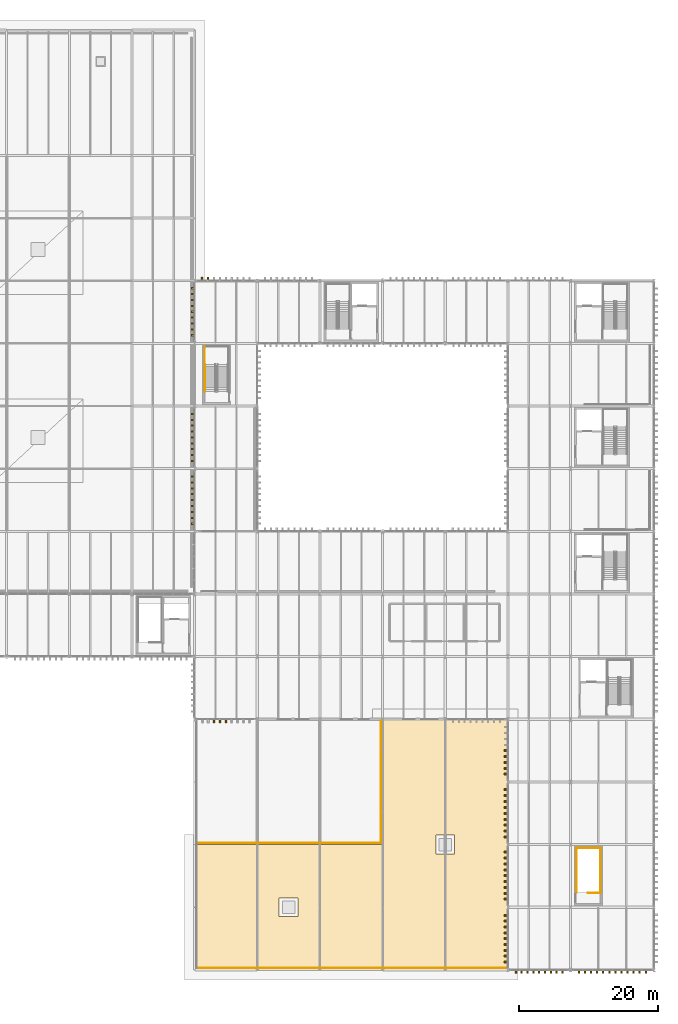
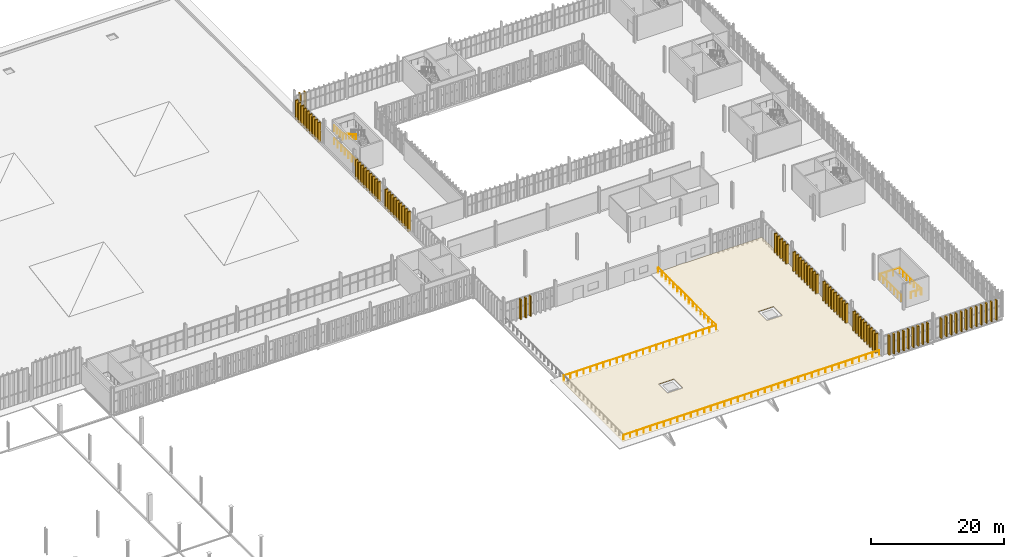
# One storey, part 188 of 196: 85 shading devices, 10 railings, 1 covering.
"""IFC4 building model written with IfcOpenShell, lengths in metres."""

import ifcopenshell
import ifcopenshell.guid

model = None  # the IFC model being written
_history = None  # IfcOwnerHistory: only IFC2X3 demands one
_inside = {}  # id of a spatial element -> (the spatial element, [elements in it])
_under = {}  # id of a project, library or spatial element -> (it, [spatial elements below it])
_declared = {}  # id of a project -> (the project, [libraries it declares])
_typed = {}  # id of a type object -> (the type object, [elements of that type])
_made_of = {}  # id of a material, layer set ... -> (it, [elements and type objects made of it])


def new_model(schema):
    """Start an empty IFC model of exactly this schema.

    Asked for "IFC4X3", IfcOpenShell would pick the latest addendum, in which some entities
    have other attributes; the version numbers below select the first issue.
    IFC2X3 requires an IfcOwnerHistory on every rooted entity: one is made here for all.
    """
    global model, _history
    if schema == "IFC4X3":
        model = ifcopenshell.file(schema_version=(4, 3, 0, 0))
    else:
        model = ifcopenshell.file(schema=schema)
    _inside.clear()
    _under.clear()
    _declared.clear()
    _typed.clear()
    _made_of.clear()
    _history = None
    if model.schema == "IFC2X3":
        org = make("IfcOrganization", Name="unknown")
        user = make(
            "IfcPersonAndOrganization",
            ThePerson=make("IfcPerson", FamilyName="unknown"),
            TheOrganization=org,
        )
        app = make(
            "IfcApplication",
            ApplicationDeveloper=org,
            Version="unknown",
            ApplicationFullName="unknown",
            ApplicationIdentifier="unknown",
        )
        _history = make(
            "IfcOwnerHistory",
            OwningUser=user,
            OwningApplication=app,
            ChangeAction="ADDED",
            CreationDate=0,
        )
    return model


def make(cls, **values):
    """One entity of the class cls with the attributes given. An attribute that is None is left unset."""
    return model.create_entity(
        cls, **{name: value for name, value in values.items() if value is not None}
    )


def rooted(cls, **values):
    """An entity with a GlobalId (a new one), such as an element, a storey or a relation."""
    return make(cls, GlobalId=ifcopenshell.guid.new(), OwnerHistory=_history, **values)


def si_unit(unit_type, name, prefix=None):
    """IfcSIUnit, for example si_unit("LENGTHUNIT", "METRE", prefix="MILLI")."""
    return make("IfcSIUnit", UnitType=unit_type, Prefix=prefix, Name=name)


def assignment(units):
    """IfcUnitAssignment: the units of a project."""
    return None if units is None else make("IfcUnitAssignment", Units=units)


def point(xyz):
    """IfcCartesianPoint."""
    return None if xyz is None else make("IfcCartesianPoint", Coordinates=xyz)


def direction(xyz):
    """IfcDirection."""
    return None if xyz is None else make("IfcDirection", DirectionRatios=xyz)


def frame(location, z_axis=None, x_axis=None):
    """IfcAxis2Placement3D, a coordinate frame: its origin and axes. An axis left out is left unset."""
    return make(
        "IfcAxis2Placement3D",
        Location=point(location),
        Axis=direction(z_axis),
        RefDirection=direction(x_axis),
    )


def frame_2d(location, x_axis=None):
    """IfcAxis2Placement2D, a coordinate frame in the plane: its origin and x axis."""
    return make(
        "IfcAxis2Placement2D", Location=point(location), RefDirection=direction(x_axis)
    )


def origin():
    """The frame at (0, 0, 0) with its axes left unset."""
    return frame((0.0, 0.0, 0.0))


def origin_2d():
    """The frame at (0, 0) in the plane with its x axis left unset."""
    return frame_2d((0.0, 0.0))


def place(relative_to, where):
    """IfcLocalPlacement: puts the frame where relative to a parent placement (None: the world)."""
    return make(
        "IfcLocalPlacement", PlacementRelTo=relative_to, RelativePlacement=where
    )


def context(
    kind, dimensions, precision=None, world=None, true_north=None, identifier=None
):
    """IfcGeometricRepresentationContext, for example the 3D "Model" context."""
    return make(
        "IfcGeometricRepresentationContext",
        ContextIdentifier=identifier,
        ContextType=kind,
        CoordinateSpaceDimension=dimensions,
        Precision=precision,
        WorldCoordinateSystem=world,
        TrueNorth=true_north,
    )


def subcontext(parent, identifier, kind, view, scale=None):
    """IfcGeometricRepresentationSubContext, for example "Body" below "Model"."""
    return make(
        "IfcGeometricRepresentationSubContext",
        ContextIdentifier=identifier,
        ContextType=kind,
        ParentContext=parent,
        TargetScale=scale,
        TargetView=view,
    )


def project(units=None, contexts=None):
    """IfcProject with its units and contexts."""
    return rooted(
        "IfcProject",
        Name="project",
        RepresentationContexts=contexts,
        UnitsInContext=assignment(units),
    )


def spatial(cls, under=None, at=None, **own):
    """A site, building, storey or space (cls), placed at a placement, below another one or the project."""
    s = rooted(cls, ObjectPlacement=at, **own)
    if under is not None:
        _under.setdefault(under.id(), (under, []))[1].append(s)
    return s


def polyline(points):
    """IfcPolyline through the points."""
    return make("IfcPolyline", Points=[point(p) for p in points])


def profile(cls, at=None, kind="AREA", **sizes):
    """A parametric profile (cls). Its sizes go by their IFC names, for example OverallWidth=200.0."""
    return make(cls, ProfileType=kind, Position=at, **sizes)


def rectangle(**sizes):
    """IfcRectangleProfileDef."""
    return profile("IfcRectangleProfileDef", **sizes)


def circle(**sizes):
    """IfcCircleProfileDef."""
    return profile("IfcCircleProfileDef", **sizes)


def outline(outer, holes=None, kind="AREA"):
    """IfcArbitraryClosedProfileDef: a profile drawn as a closed curve; with holes, ...WithVoids."""
    if holes is None:
        return make("IfcArbitraryClosedProfileDef", ProfileType=kind, OuterCurve=outer)
    return make(
        "IfcArbitraryProfileDefWithVoids",
        ProfileType=kind,
        OuterCurve=outer,
        InnerCurves=holes,
    )


def extrude(swept, where, along, depth):
    """IfcExtrudedAreaSolid: the profile swept, set in the frame where, extruded along a direction by depth."""
    return make(
        "IfcExtrudedAreaSolid",
        SweptArea=swept,
        Position=where,
        ExtrudedDirection=direction(along),
        Depth=depth,
    )


def shape(context_of_items, identifier, shape_type, items):
    """IfcShapeRepresentation: the items that make up one representation, for example the "Body"."""
    return make(
        "IfcShapeRepresentation",
        ContextOfItems=context_of_items,
        RepresentationIdentifier=identifier,
        RepresentationType=shape_type,
        Items=items,
    )


def material(Name=None, Category=None):
    """IfcMaterial."""
    return make("IfcMaterial", Name=Name, Category=Category)


def layer(
    of_material, thickness, ventilated=None, Name=None, Category=None, Priority=None
):
    """IfcMaterialLayer: one layer of a wall or slab, of a material (None: an air gap)."""
    return make(
        "IfcMaterialLayer",
        Material=of_material,
        LayerThickness=thickness,
        IsVentilated=ventilated,
        Name=Name,
        Category=Category,
        Priority=Priority,
    )


def layer_set(layers, Name=None):
    """IfcMaterialLayerSet."""
    return make("IfcMaterialLayerSet", MaterialLayers=layers, LayerSetName=Name)


def made_of(thing, what):
    """Note that an element or type object is made of a material, layer set ...; save() writes the relation."""
    if what is not None:
        _made_of.setdefault(what.id(), (what, []))[1].append(thing)
    return thing


def type_object(cls, material=None, **own):
    """A type object (cls), such as IfcWallType, which elements share."""
    return made_of(rooted(cls, **own), material)


def element(
    cls,
    number,
    at=None,
    inside=None,
    cuts=None,
    type_object=None,
    material=None,
    context=None,
    identifier="Body",
    shape_type=None,
    held_by="IfcProductDefinitionShape",
    body=None,
    shapes=None,
    **own,
):
    """One element of the class cls, such as IfcWall. Its Tag is "e" and its number.

    at: its placement. inside: the storey or other place that contains it. cuts: it is an
    opening in that element (IfcRelVoidsElement). A single representation is given by context,
    identifier, shape_type and body (its items); several are given by shapes. held_by: the class
    of the entity that holds the representations. save() writes the other relations.
    """
    e = rooted(cls, Tag="e%d" % number, ObjectPlacement=at, **own)
    if body is not None:
        shapes = [shape(context, identifier, shape_type, body)]
    if shapes is not None:
        e.Representation = make(held_by, Representations=shapes)
    if inside is not None:
        _inside.setdefault(inside.id(), (inside, []))[1].append(e)
    if cuts is not None:
        rooted(
            "IfcRelVoidsElement", RelatingBuildingElement=cuts, RelatedOpeningElement=e
        )
    if type_object is not None:
        _typed.setdefault(type_object.id(), (type_object, []))[1].append(e)
    return made_of(e, material)


def aggregate(whole, parts):
    """IfcRelAggregates: a whole, such as a stair, and the parts it consists of."""
    return rooted("IfcRelAggregates", RelatingObject=whole, RelatedObjects=parts)


def save(model, path):
    """Write the relations noted so far, then the file.

    IfcRelAggregates (storeys below a building ...), IfcRelContainedInSpatialStructure (elements
    in a storey), IfcRelDefinesByType, IfcRelAssociatesMaterial and IfcRelDeclares: one each for
    every whole, place, type object, material and project.
    """
    for whole, parts in _under.values():
        aggregate(whole, parts)
    for where, things in _inside.values():
        rooted(
            "IfcRelContainedInSpatialStructure",
            RelatedElements=things,
            RelatingStructure=where,
        )
    for kind, things in _typed.values():
        rooted("IfcRelDefinesByType", RelatedObjects=things, RelatingType=kind)
    for what, things in _made_of.values():
        rooted("IfcRelAssociatesMaterial", RelatedObjects=things, RelatingMaterial=what)
    for by, libraries in _declared.values():
        rooted("IfcRelDeclares", RelatingContext=by, RelatedDefinitions=libraries)
    model.write(path)


model = new_model("IFC4")

# Units and contexts
model_context = context("Model", 3, precision=1e-05, world=origin(), true_north=direction((0.0, 1.0)))
body_context = subcontext(model_context, "Body", "Model", "MODEL_VIEW")
ifc_project = project(units=[si_unit("LENGTHUNIT", "METRE"), si_unit("AREAUNIT", "SQUARE_METRE"), si_unit("VOLUMEUNIT", "CUBIC_METRE"), si_unit("PLANEANGLEUNIT", "RADIAN"), si_unit("MASSUNIT", "GRAM", prefix="KILO")], contexts=[model_context])

# Site, building, storey
site_placement = place(None, origin())
site = spatial("IfcSite", under=ifc_project, at=site_placement, CompositionType="ELEMENT")
building_placement = place(site_placement, origin())
building = spatial("IfcBuilding", under=site, at=building_placement, Name="Barlavento Convention Centre", CompositionType="ELEMENT")
storey_placement = place(building_placement, frame((0.0, 0.0, 18.0)))
storey = spatial("IfcBuildingStorey", under=building, at=storey_placement, Name="L03", CompositionType="ELEMENT", Elevation=18.0)

# Covering
ifc_material_1 = material(Name="Insulated typhoon waterproof roofing membrane")
ifc_layer = layer(ifc_material_1, 0.0400390625)
ifc_layer_set = layer_set([ifc_layer], Name="ARC-COV-ROOFING-40")
covering_type = type_object("IfcCoveringType", Name="ARC-COV-ROOFING-40", PredefinedType="ROOFING", material=ifc_layer_set)
covering_placement = place(storey_placement, frame((0.0, 0.0, 0.050048828125)))
element("IfcCovering", 1, at=covering_placement, inside=storey, type_object=covering_type, Name="L03 insulated waterproof roof covering", PredefinedType="ROOFING", context=body_context, shape_type="SweptSolid", body=[
    extrude(outline(polyline([(126.0, 0.0), (171.0, 0.0), (171.0, 36.0), (153.0, 36.0), (153.0, 18.0), (126.0, 18.0), (126.0, 0.0)]), holes=[polyline([(138.14990234375, 7.64990234375), (140.85009765625, 7.64990234375), (140.85009765625, 10.35009765625), (138.14990234375, 10.35009765625), (138.14990234375, 7.64990234375)]), polyline([(160.64990234375, 16.64990234375), (163.35009765625, 16.64990234375), (163.35009765625, 19.35009765625), (160.64990234375, 19.35009765625), (160.64990234375, 16.64990234375)])]), origin(), (0.0, 0.0, 1.0), 0.0400390625),
])

# Railings
ifc_material_2 = material(Name="Stainless steel and laminated glass balustrade", Category="steel")
railing_type_1 = type_object("IfcRailingType", Name="ARC-RAL-BAL-1100", PredefinedType="BALUSTRADE", material=ifc_material_2)
railing_1_placement = place(storey_placement, frame((126.25, 18.25, 0.0)))
element("IfcRailing", 2, at=railing_1_placement, inside=storey, type_object=railing_type_1, Name="L03 terrace balustrade GR01", PredefinedType="BALUSTRADE", context=body_context, shape_type="SweptSolid", body=[
    extrude(circle(Radius=0.02392578125, at=origin_2d()), frame((0.0, 0.0, 1.076171875), z_axis=(1.0, 0.0, 0.0), x_axis=(0.0, 1.0, 0.0)), (0.0, 0.0, 1.0), 26.5),
    extrude(circle(Radius=0.02099609375, at=origin_2d()), origin(), (0.0, 0.0, 1.0), 1.052001953125),
    extrude(circle(Radius=0.02099609375, at=origin_2d()), frame((1.152099609375, 0.0, 0.0)), (0.0, 0.0, 1.0), 1.052001953125),
    extrude(circle(Radius=0.02099609375, at=origin_2d()), frame((2.304443359375, 0.0, 0.0)), (0.0, 0.0, 1.0), 1.052001953125),
    extrude(circle(Radius=0.02099609375, at=origin_2d()), frame((3.45654296875, 0.0, 0.0)), (0.0, 0.0, 1.0), 1.052001953125),
    extrude(circle(Radius=0.02099609375, at=origin_2d()), frame((4.608642578125, 0.0, 0.0)), (0.0, 0.0, 1.0), 1.052001953125),
    extrude(circle(Radius=0.02099609375, at=origin_2d()), frame((5.760986328125, 0.0, 0.0)), (0.0, 0.0, 1.0), 1.052001953125),
    extrude(circle(Radius=0.02099609375, at=origin_2d()), frame((6.9130859375, 0.0, 0.0)), (0.0, 0.0, 1.0), 1.052001953125),
    extrude(circle(Radius=0.02099609375, at=origin_2d()), frame((8.065185546875, 0.0, 0.0)), (0.0, 0.0, 1.0), 1.052001953125),
    extrude(circle(Radius=0.02099609375, at=origin_2d()), frame((9.21728515625, 0.0, 0.0)), (0.0, 0.0, 1.0), 1.052001953125),
    extrude(circle(Radius=0.02099609375, at=origin_2d()), frame((10.36962890625, 0.0, 0.0)), (0.0, 0.0, 1.0), 1.052001953125),
    extrude(circle(Radius=0.02099609375, at=origin_2d()), frame((11.521728515625, 0.0, 0.0)), (0.0, 0.0, 1.0), 1.052001953125),
    extrude(circle(Radius=0.02099609375, at=origin_2d()), frame((12.673828125, 0.0, 0.0)), (0.0, 0.0, 1.0), 1.052001953125),
    extrude(circle(Radius=0.02099609375, at=origin_2d()), frame((13.826171875, 0.0, 0.0)), (0.0, 0.0, 1.0), 1.052001953125),
    extrude(circle(Radius=0.02099609375, at=origin_2d()), frame((14.978271484375, 0.0, 0.0)), (0.0, 0.0, 1.0), 1.052001953125),
    extrude(circle(Radius=0.02099609375, at=origin_2d()), frame((16.13037109375, 0.0, 0.0)), (0.0, 0.0, 1.0), 1.052001953125),
    extrude(circle(Radius=0.02099609375, at=origin_2d()), frame((17.28271484375, 0.0, 0.0)), (0.0, 0.0, 1.0), 1.052001953125),
    extrude(circle(Radius=0.02099609375, at=origin_2d()), frame((18.434814453125, 0.0, 0.0)), (0.0, 0.0, 1.0), 1.052001953125),
    extrude(circle(Radius=0.02099609375, at=origin_2d()), frame((19.5869140625, 0.0, 0.0)), (0.0, 0.0, 1.0), 1.052001953125),
    extrude(circle(Radius=0.02099609375, at=origin_2d()), frame((20.739013671875, 0.0, 0.0)), (0.0, 0.0, 1.0), 1.052001953125),
    extrude(circle(Radius=0.02099609375, at=origin_2d()), frame((21.891357421875, 0.0, 0.0)), (0.0, 0.0, 1.0), 1.052001953125),
    extrude(circle(Radius=0.02099609375, at=origin_2d()), frame((23.04345703125, 0.0, 0.0)), (0.0, 0.0, 1.0), 1.052001953125),
    extrude(circle(Radius=0.02099609375, at=origin_2d()), frame((24.195556640625, 0.0, 0.0)), (0.0, 0.0, 1.0), 1.052001953125),
    extrude(circle(Radius=0.02099609375, at=origin_2d()), frame((25.347900390625, 0.0, 0.0)), (0.0, 0.0, 1.0), 1.052001953125),
    extrude(circle(Radius=0.02099609375, at=origin_2d()), frame((26.5, 0.0, 0.0)), (0.0, 0.0, 1.0), 1.052001953125),
])
railing_2_placement = place(storey_placement, frame((152.75, 18.25, 0.0)))
element("IfcRailing", 3, at=railing_2_placement, inside=storey, type_object=railing_type_1, Name="L03 terrace balustrade GR01", PredefinedType="BALUSTRADE", context=body_context, shape_type="SweptSolid", body=[
    extrude(circle(Radius=0.02392578125, at=origin_2d()), frame((0.0, 0.0, 1.076171875), z_axis=(0.0, 1.0, 0.0), x_axis=(-1.0, 0.0, 0.0)), (0.0, 0.0, 1.0), 17.5),
    extrude(circle(Radius=0.02099609375, at=origin_2d()), origin(), (0.0, 0.0, 1.0), 1.052001953125),
    extrude(circle(Radius=0.02099609375, at=origin_2d()), frame((0.0, 1.166748046875, 0.0)), (0.0, 0.0, 1.0), 1.052001953125),
    extrude(circle(Radius=0.02099609375, at=origin_2d()), frame((0.0, 2.333251953125, 0.0)), (0.0, 0.0, 1.0), 1.052001953125),
    extrude(circle(Radius=0.02099609375, at=origin_2d()), frame((0.0, 3.5, 0.0)), (0.0, 0.0, 1.0), 1.052001953125),
    extrude(circle(Radius=0.02099609375, at=origin_2d()), frame((0.0, 4.666748046875, 0.0)), (0.0, 0.0, 1.0), 1.052001953125),
    extrude(circle(Radius=0.02099609375, at=origin_2d()), frame((0.0, 5.833251953125, 0.0)), (0.0, 0.0, 1.0), 1.052001953125),
    extrude(circle(Radius=0.02099609375, at=origin_2d()), frame((0.0, 7.0, 0.0)), (0.0, 0.0, 1.0), 1.052001953125),
    extrude(circle(Radius=0.02099609375, at=origin_2d()), frame((0.0, 8.166748046875, 0.0)), (0.0, 0.0, 1.0), 1.052001953125),
    extrude(circle(Radius=0.02099609375, at=origin_2d()), frame((0.0, 9.333251953125, 0.0)), (0.0, 0.0, 1.0), 1.052001953125),
    extrude(circle(Radius=0.02099609375, at=origin_2d()), frame((0.0, 10.5, 0.0)), (0.0, 0.0, 1.0), 1.052001953125),
    extrude(circle(Radius=0.02099609375, at=origin_2d()), frame((0.0, 11.666748046875, 0.0)), (0.0, 0.0, 1.0), 1.052001953125),
    extrude(circle(Radius=0.02099609375, at=origin_2d()), frame((0.0, 12.833251953125, 0.0)), (0.0, 0.0, 1.0), 1.052001953125),
    extrude(circle(Radius=0.02099609375, at=origin_2d()), frame((0.0, 14.0, 0.0)), (0.0, 0.0, 1.0), 1.052001953125),
    extrude(circle(Radius=0.02099609375, at=origin_2d()), frame((0.0, 15.166748046875, 0.0)), (0.0, 0.0, 1.0), 1.052001953125),
    extrude(circle(Radius=0.02099609375, at=origin_2d()), frame((0.0, 16.333251953125, 0.0)), (0.0, 0.0, 1.0), 1.052001953125),
    extrude(circle(Radius=0.02099609375, at=origin_2d()), frame((0.0, 17.5, 0.0)), (0.0, 0.0, 1.0), 1.052001953125),
])
railing_3_placement = place(storey_placement, frame((126.25, 0.25, 0.0)))
element("IfcRailing", 4, at=railing_3_placement, inside=storey, type_object=railing_type_1, Name="L03 south roof terrace balustrade GR01", PredefinedType="BALUSTRADE", context=body_context, shape_type="SweptSolid", body=[
    extrude(circle(Radius=0.02392578125, at=origin_2d()), frame((0.0, 0.0, 1.076171875), z_axis=(1.0, 0.0, 0.0), x_axis=(0.0, 1.0, 0.0)), (0.0, 0.0, 1.0), 44.5),
    extrude(circle(Radius=0.02099609375, at=origin_2d()), origin(), (0.0, 0.0, 1.0), 1.052001953125),
    extrude(circle(Radius=0.02099609375, at=origin_2d()), frame((1.171142578125, 0.0, 0.0)), (0.0, 0.0, 1.0), 1.052001953125),
    extrude(circle(Radius=0.02099609375, at=origin_2d()), frame((2.342041015625, 0.0, 0.0)), (0.0, 0.0, 1.0), 1.052001953125),
    extrude(circle(Radius=0.02099609375, at=origin_2d()), frame((3.51318359375, 0.0, 0.0)), (0.0, 0.0, 1.0), 1.052001953125),
    extrude(circle(Radius=0.02099609375, at=origin_2d()), frame((4.684326171875, 0.0, 0.0)), (0.0, 0.0, 1.0), 1.052001953125),
    extrude(circle(Radius=0.02099609375, at=origin_2d()), frame((5.855224609375, 0.0, 0.0)), (0.0, 0.0, 1.0), 1.052001953125),
    extrude(circle(Radius=0.02099609375, at=origin_2d()), frame((7.0263671875, 0.0, 0.0)), (0.0, 0.0, 1.0), 1.052001953125),
    extrude(circle(Radius=0.02099609375, at=origin_2d()), frame((8.197265625, 0.0, 0.0)), (0.0, 0.0, 1.0), 1.052001953125),
    extrude(circle(Radius=0.02099609375, at=origin_2d()), frame((9.368408203125, 0.0, 0.0)), (0.0, 0.0, 1.0), 1.052001953125),
    extrude(circle(Radius=0.02099609375, at=origin_2d()), frame((10.53955078125, 0.0, 0.0)), (0.0, 0.0, 1.0), 1.052001953125),
    extrude(circle(Radius=0.02099609375, at=origin_2d()), frame((11.71044921875, 0.0, 0.0)), (0.0, 0.0, 1.0), 1.052001953125),
    extrude(circle(Radius=0.02099609375, at=origin_2d()), frame((12.881591796875, 0.0, 0.0)), (0.0, 0.0, 1.0), 1.052001953125),
    extrude(circle(Radius=0.02099609375, at=origin_2d()), frame((14.052734375, 0.0, 0.0)), (0.0, 0.0, 1.0), 1.052001953125),
    extrude(circle(Radius=0.02099609375, at=origin_2d()), frame((15.2236328125, 0.0, 0.0)), (0.0, 0.0, 1.0), 1.052001953125),
    extrude(circle(Radius=0.02099609375, at=origin_2d()), frame((16.394775390625, 0.0, 0.0)), (0.0, 0.0, 1.0), 1.052001953125),
    extrude(circle(Radius=0.02099609375, at=origin_2d()), frame((17.565673828125, 0.0, 0.0)), (0.0, 0.0, 1.0), 1.052001953125),
    extrude(circle(Radius=0.02099609375, at=origin_2d()), frame((18.73681640625, 0.0, 0.0)), (0.0, 0.0, 1.0), 1.052001953125),
    extrude(circle(Radius=0.02099609375, at=origin_2d()), frame((19.907958984375, 0.0, 0.0)), (0.0, 0.0, 1.0), 1.052001953125),
    extrude(circle(Radius=0.02099609375, at=origin_2d()), frame((21.078857421875, 0.0, 0.0)), (0.0, 0.0, 1.0), 1.052001953125),
    extrude(circle(Radius=0.02099609375, at=origin_2d()), frame((22.25, 0.0, 0.0)), (0.0, 0.0, 1.0), 1.052001953125),
    extrude(circle(Radius=0.02099609375, at=origin_2d()), frame((23.421142578125, 0.0, 0.0)), (0.0, 0.0, 1.0), 1.052001953125),
    extrude(circle(Radius=0.02099609375, at=origin_2d()), frame((24.592041015625, 0.0, 0.0)), (0.0, 0.0, 1.0), 1.052001953125),
    extrude(circle(Radius=0.02099609375, at=origin_2d()), frame((25.76318359375, 0.0, 0.0)), (0.0, 0.0, 1.0), 1.052001953125),
    extrude(circle(Radius=0.02099609375, at=origin_2d()), frame((26.934326171875, 0.0, 0.0)), (0.0, 0.0, 1.0), 1.052001953125),
    extrude(circle(Radius=0.02099609375, at=origin_2d()), frame((28.105224609375, 0.0, 0.0)), (0.0, 0.0, 1.0), 1.052001953125),
    extrude(circle(Radius=0.02099609375, at=origin_2d()), frame((29.2763671875, 0.0, 0.0)), (0.0, 0.0, 1.0), 1.052001953125),
    extrude(circle(Radius=0.02099609375, at=origin_2d()), frame((30.447265625, 0.0, 0.0)), (0.0, 0.0, 1.0), 1.052001953125),
    extrude(circle(Radius=0.02099609375, at=origin_2d()), frame((31.618408203125, 0.0, 0.0)), (0.0, 0.0, 1.0), 1.052001953125),
    extrude(circle(Radius=0.02099609375, at=origin_2d()), frame((32.78955078125, 0.0, 0.0)), (0.0, 0.0, 1.0), 1.052001953125),
    extrude(circle(Radius=0.02099609375, at=origin_2d()), frame((33.96044921875, 0.0, 0.0)), (0.0, 0.0, 1.0), 1.052001953125),
    extrude(circle(Radius=0.02099609375, at=origin_2d()), frame((35.131591796875, 0.0, 0.0)), (0.0, 0.0, 1.0), 1.052001953125),
    extrude(circle(Radius=0.02099609375, at=origin_2d()), frame((36.302734375, 0.0, 0.0)), (0.0, 0.0, 1.0), 1.052001953125),
    extrude(circle(Radius=0.02099609375, at=origin_2d()), frame((37.4736328125, 0.0, 0.0)), (0.0, 0.0, 1.0), 1.052001953125),
    extrude(circle(Radius=0.02099609375, at=origin_2d()), frame((38.644775390625, 0.0, 0.0)), (0.0, 0.0, 1.0), 1.052001953125),
    extrude(circle(Radius=0.02099609375, at=origin_2d()), frame((39.815673828125, 0.0, 0.0)), (0.0, 0.0, 1.0), 1.052001953125),
    extrude(circle(Radius=0.02099609375, at=origin_2d()), frame((40.98681640625, 0.0, 0.0)), (0.0, 0.0, 1.0), 1.052001953125),
    extrude(circle(Radius=0.02099609375, at=origin_2d()), frame((42.157958984375, 0.0, 0.0)), (0.0, 0.0, 1.0), 1.052001953125),
    extrude(circle(Radius=0.02099609375, at=origin_2d()), frame((43.328857421875, 0.0, 0.0)), (0.0, 0.0, 1.0), 1.052001953125),
    extrude(circle(Radius=0.02099609375, at=origin_2d()), frame((44.5, 0.0, 0.0)), (0.0, 0.0, 1.0), 1.052001953125),
])
railing_4_placement = place(storey_placement, frame((127.449951171875, 86.989990234375, 2.39990234375)))
element("IfcRailing", 5, at=railing_4_placement, inside=storey, type_object=railing_type_1, Name="L03 landing guard GR01", PredefinedType="BALUSTRADE", context=body_context, shape_type="SweptSolid", body=[
    extrude(circle(Radius=0.02392578125, at=origin_2d()), frame((0.0, 0.0, 1.076171875), z_axis=(0.0, 1.0, 0.0), x_axis=(-1.0, 0.0, 0.0)), (0.0, 0.0, 1.0), 2.5400390625),
    extrude(circle(Radius=0.02099609375, at=origin_2d()), origin(), (0.0, 0.0, 1.0), 1.052001953125),
    extrude(circle(Radius=0.02099609375, at=origin_2d()), frame((0.0, 0.8466796875, 0.0)), (0.0, 0.0, 1.0), 1.052001953125),
    extrude(circle(Radius=0.02099609375, at=origin_2d()), frame((0.0, 1.693359375, 0.0)), (0.0, 0.0, 1.0), 1.052001953125),
    extrude(circle(Radius=0.02099609375, at=origin_2d()), frame((0.0, 2.5400390625, 0.0)), (0.0, 0.0, 1.0), 1.052001953125),
])
railing_5_placement = place(storey_placement, frame((127.449951171875, 89.530029296875, 0.0)))
element("IfcRailing", 6, at=railing_5_placement, inside=storey, type_object=railing_type_1, Name="L03 stairwell perimeter guard GR01", PredefinedType="BALUSTRADE", context=body_context, shape_type="SweptSolid", body=[
    extrude(circle(Radius=0.02392578125, at=origin_2d()), frame((0.0, 0.0, 1.076171875), z_axis=(0.0, -1.0, 0.0), x_axis=(1.0, 0.0, 0.0)), (0.0, 0.0, 1.0), 6.43505859375),
    extrude(circle(Radius=0.02099609375, at=origin_2d()), origin(), (0.0, 0.0, 1.0), 1.052001953125),
    extrude(circle(Radius=0.02099609375, at=origin_2d()), frame((0.0, -1.072509765625, 0.0)), (0.0, 0.0, 1.0), 1.052001953125),
    extrude(circle(Radius=0.02099609375, at=origin_2d()), frame((0.0, -2.14501953125, 0.0)), (0.0, 0.0, 1.0), 1.052001953125),
    extrude(circle(Radius=0.02099609375, at=origin_2d()), frame((0.0, -3.217529296875, 0.0)), (0.0, 0.0, 1.0), 1.052001953125),
    extrude(circle(Radius=0.02099609375, at=origin_2d()), frame((0.0, -4.2900390625, 0.0)), (0.0, 0.0, 1.0), 1.052001953125),
    extrude(circle(Radius=0.02099609375, at=origin_2d()), frame((0.0, -5.362548828125, 0.0)), (0.0, 0.0, 1.0), 1.052001953125),
    extrude(circle(Radius=0.02099609375, at=origin_2d()), frame((0.0, -6.43505859375, 0.0)), (0.0, 0.0, 1.0), 1.052001953125),
])
railing_6_placement = place(storey_placement, frame((184.2900390625, 11.0400390625, 0.0)))
element("IfcRailing", 7, at=railing_6_placement, inside=storey, type_object=railing_type_1, Name="L03 ST14 top well guard 1", PredefinedType="BALUSTRADE", context=body_context, shape_type="SweptSolid", body=[
    extrude(circle(Radius=0.02392578125, at=origin_2d()), frame((0.0, 0.0, 1.076171875), z_axis=(-1.0, 0.0, 0.0), x_axis=(0.0, -1.0, 0.0)), (0.0, 0.0, 1.0), 1.820068359375),
    extrude(circle(Radius=0.02099609375, at=origin_2d()), origin(), (0.0, 0.0, 1.0), 1.052001953125),
    extrude(circle(Radius=0.02099609375, at=origin_2d()), frame((-0.91015625, 0.0, 0.0)), (0.0, 0.0, 1.0), 1.052001953125),
    extrude(circle(Radius=0.02099609375, at=origin_2d()), frame((-1.820068359375, 0.0, 0.0)), (0.0, 0.0, 1.0), 1.052001953125),
])
railing_7_placement = place(storey_placement, frame((184.2900390625, 11.114990234375, 0.0)))
element("IfcRailing", 8, at=railing_7_placement, inside=storey, type_object=railing_type_1, Name="L03 stairwell perimeter guard GR01", PredefinedType="BALUSTRADE", context=body_context, shape_type="SweptSolid", body=[
    extrude(circle(Radius=0.02392578125, at=origin_2d()), frame((0.0, 0.0, 1.076171875), z_axis=(0.0, 1.0, 0.0), x_axis=(-1.0, 0.0, 0.0)), (0.0, 0.0, 1.0), 6.4150390625),
    extrude(circle(Radius=0.02099609375, at=origin_2d()), origin(), (0.0, 0.0, 1.0), 1.052001953125),
    extrude(circle(Radius=0.02099609375, at=origin_2d()), frame((0.0, 1.069091796875, 0.0)), (0.0, 0.0, 1.0), 1.052001953125),
    extrude(circle(Radius=0.02099609375, at=origin_2d()), frame((0.0, 2.138427734375, 0.0)), (0.0, 0.0, 1.0), 1.052001953125),
    extrude(circle(Radius=0.02099609375, at=origin_2d()), frame((0.0, 3.20751953125, 0.0)), (0.0, 0.0, 1.0), 1.052001953125),
    extrude(circle(Radius=0.02099609375, at=origin_2d()), frame((0.0, 4.276611328125, 0.0)), (0.0, 0.0, 1.0), 1.052001953125),
    extrude(circle(Radius=0.02099609375, at=origin_2d()), frame((0.0, 5.345947265625, 0.0)), (0.0, 0.0, 1.0), 1.052001953125),
    extrude(circle(Radius=0.02099609375, at=origin_2d()), frame((0.0, 6.4150390625, 0.0)), (0.0, 0.0, 1.0), 1.052001953125),
])
railing_8_placement = place(storey_placement, frame((184.2900390625, 17.530029296875, 0.0)))
element("IfcRailing", 9, at=railing_8_placement, inside=storey, type_object=railing_type_1, Name="L03 stairwell perimeter guard GR01", PredefinedType="BALUSTRADE", context=body_context, shape_type="SweptSolid", body=[
    extrude(circle(Radius=0.02392578125, at=origin_2d()), frame((0.0, 0.0, 1.076171875), z_axis=(-1.0, 0.0, 0.0), x_axis=(0.0, -1.0, 0.0)), (0.0, 0.0, 1.0), 3.43994140625),
    extrude(circle(Radius=0.02099609375, at=origin_2d()), origin(), (0.0, 0.0, 1.0), 1.052001953125),
    extrude(circle(Radius=0.02099609375, at=origin_2d()), frame((-1.146728515625, 0.0, 0.0)), (0.0, 0.0, 1.0), 1.052001953125),
    extrude(circle(Radius=0.02099609375, at=origin_2d()), frame((-2.293212890625, 0.0, 0.0)), (0.0, 0.0, 1.0), 1.052001953125),
    extrude(circle(Radius=0.02099609375, at=origin_2d()), frame((-3.43994140625, 0.0, 0.0)), (0.0, 0.0, 1.0), 1.052001953125),
])
railing_9_placement = place(storey_placement, frame((180.85009765625, 17.530029296875, 0.0)))
element("IfcRailing", 10, at=railing_9_placement, inside=storey, type_object=railing_type_1, Name="L03 stairwell perimeter guard GR01", PredefinedType="BALUSTRADE", context=body_context, shape_type="SweptSolid", body=[
    extrude(circle(Radius=0.02392578125, at=origin_2d()), frame((0.0, 0.0, 1.076171875), z_axis=(0.0, -1.0, 0.0), x_axis=(1.0, 0.0, 0.0)), (0.0, 0.0, 1.0), 6.4150390625),
    extrude(circle(Radius=0.02099609375, at=origin_2d()), origin(), (0.0, 0.0, 1.0), 1.052001953125),
    extrude(circle(Radius=0.02099609375, at=origin_2d()), frame((0.0, -1.069091796875, 0.0)), (0.0, 0.0, 1.0), 1.052001953125),
    extrude(circle(Radius=0.02099609375, at=origin_2d()), frame((0.0, -2.138427734375, 0.0)), (0.0, 0.0, 1.0), 1.052001953125),
    extrude(circle(Radius=0.02099609375, at=origin_2d()), frame((0.0, -3.20751953125, 0.0)), (0.0, 0.0, 1.0), 1.052001953125),
    extrude(circle(Radius=0.02099609375, at=origin_2d()), frame((0.0, -4.276611328125, 0.0)), (0.0, 0.0, 1.0), 1.052001953125),
    extrude(circle(Radius=0.02099609375, at=origin_2d()), frame((0.0, -5.345947265625, 0.0)), (0.0, 0.0, 1.0), 1.052001953125),
    extrude(circle(Radius=0.02099609375, at=origin_2d()), frame((0.0, -6.4150390625, 0.0)), (0.0, 0.0, 1.0), 1.052001953125),
])
ifc_material_3 = material(Name="Brushed stainless steel tubular handrail", Category="steel")
railing_type_2 = type_object("IfcRailingType", Name="ARC-RAL-HR-900", PredefinedType="HANDRAIL", material=ifc_material_3)
railing_10_placement = place(storey_placement, frame((127.5, 86.989990234375, 2.56005859375)))
element("IfcRailing", 11, at=railing_10_placement, inside=storey, type_object=railing_type_2, Name="L03 ST12 stair handrail 2", PredefinedType="HANDRAIL", context=body_context, shape_type="SweptSolid", body=[
    extrude(circle(Radius=0.02392578125, at=origin_2d()), frame((0.0, 0.0, 0.8759765625), z_axis=(0.0, -0.868239814368, 0.496144761885), x_axis=(1.0, 0.0, 0.0)), (0.0, 0.0, 1.0), 4.514892578125),
    extrude(circle(Radius=0.02099609375, at=origin_2d()), origin(), (0.0, 0.0, 1.0), 0.851806640625),
    extrude(circle(Radius=0.02099609375, at=origin_2d()), frame((0.0, -0.97998046875, 0.56005859375)), (0.0, 0.0, 1.0), 0.851806640625),
    extrude(circle(Radius=0.02099609375, at=origin_2d()), frame((0.0, -1.9599609375, 1.1201171875)), (0.0, 0.0, 1.0), 0.851806640625),
    extrude(circle(Radius=0.02099609375, at=origin_2d()), frame((0.0, -2.93994140625, 1.679931640625)), (0.0, 0.0, 1.0), 0.851806640625),
    extrude(circle(Radius=0.02099609375, at=origin_2d()), frame((0.0, -3.919921875, 2.239990234375)), (0.0, 0.0, 1.0), 0.851806640625),
])

# Shading devices
ifc_material_4 = material(Name="PVDF white extruded aluminium", Category="aluminium")
shading_device_type = type_object("IfcShadingDeviceType", Name="ARC-SHD-FIN-480", PredefinedType="USERDEFINED", material=ifc_material_4)
for number, where, z_axis, x_axis, name in (
    (12, (172.133544921875, -0.239990234375, 0.0), (0.0, 0.0, 1.0), (1.0, 0.0, 0.0), "White vertical solar shading fin VF01"),
    (13, (172.971923828125, -0.239990234375, 0.0), (0.0, 0.0, 1.0), (1.0, 0.0, 0.0), "White vertical solar shading fin VF01"),
    (14, (173.810546875, -0.239990234375, 0.0), (0.0, 0.0, 1.0), (1.0, 0.0, 0.0), "White vertical solar shading fin VF01"),
    (15, (174.64892578125, -0.239990234375, 0.0), (0.0, 0.0, 1.0), (1.0, 0.0, 0.0), "White vertical solar shading fin VF01"),
    (16, (175.487548828125, -0.239990234375, 0.0), (0.0, 0.0, 1.0), (1.0, 0.0, 0.0), "White vertical solar shading fin VF01"),
    (17, (176.325927734375, -0.239990234375, 0.0), (0.0, 0.0, 1.0), (1.0, 0.0, 0.0), "White vertical solar shading fin VF01"),
    (18, (177.16455078125, -0.239990234375, 0.0), (0.0, 0.0, 1.0), (1.0, 0.0, 0.0), "White vertical solar shading fin VF01"),
    (19, (178.0029296875, -0.239990234375, 0.0), (0.0, 0.0, 1.0), (1.0, 0.0, 0.0), "White vertical solar shading fin VF01"),
    (20, (178.841552734375, -0.239990234375, 0.0), (0.0, 0.0, 1.0), (1.0, 0.0, 0.0), "White vertical solar shading fin VF01"),
    (21, (181.19384765625, -0.239990234375, 0.0), (0.0, 0.0, 1.0), (1.0, 0.0, 0.0), "White vertical solar shading fin VF01"),
    (22, (182.067626953125, -0.239990234375, 0.0), (0.0, 0.0, 1.0), (1.0, 0.0, 0.0), "White vertical solar shading fin VF01"),
    (23, (182.94140625, -0.239990234375, 0.0), (0.0, 0.0, 1.0), (1.0, 0.0, 0.0), "White vertical solar shading fin VF01"),
    (24, (183.8154296875, -0.239990234375, 0.0), (0.0, 0.0, 1.0), (1.0, 0.0, 0.0), "White vertical solar shading fin VF01"),
    (25, (184.689208984375, -0.239990234375, 0.0), (0.0, 0.0, 1.0), (1.0, 0.0, 0.0), "White vertical solar shading fin VF01"),
    (26, (185.56298828125, -0.239990234375, 0.0), (0.0, 0.0, 1.0), (1.0, 0.0, 0.0), "White vertical solar shading fin VF01"),
    (27, (186.43701171875, -0.239990234375, 0.0), (0.0, 0.0, 1.0), (1.0, 0.0, 0.0), "White vertical solar shading fin VF01"),
    (28, (187.310791015625, -0.239990234375, 0.0), (0.0, 0.0, 1.0), (1.0, 0.0, 0.0), "White vertical solar shading fin VF01"),
    (29, (188.1845703125, -0.239990234375, 0.0), (0.0, 0.0, 1.0), (1.0, 0.0, 0.0), "White vertical solar shading fin VF01"),
    (30, (189.05859375, -0.239990234375, 0.0), (0.0, 0.0, 1.0), (1.0, 0.0, 0.0), "White vertical solar shading fin VF01"),
    (31, (189.932373046875, -0.239990234375, 0.0), (0.0, 0.0, 1.0), (1.0, 0.0, 0.0), "White vertical solar shading fin VF01"),
    (32, (190.80615234375, -0.239990234375, 0.0), (0.0, 0.0, 1.0), (1.0, 0.0, 0.0), "White vertical solar shading fin VF01"),
    (33, (128.800537109375, 35.760009765625, 0.0), (0.0, 0.0, 1.0), (1.0, 0.0, 0.0), "White vertical solar shading fin VF01"),
    (34, (129.64404296875, 35.760009765625, 0.0), (0.0, 0.0, 1.0), (1.0, 0.0, 0.0), "White vertical solar shading fin VF01"),
    (35, (130.487548828125, 35.760009765625, 0.0), (0.0, 0.0, 1.0), (1.0, 0.0, 0.0), "White vertical solar shading fin VF01"),
    (36, (170.760009765625, 1.133544921875, 0.0), (0.0, 0.0, 1.0), (0.0, 1.0, 0.0), "White vertical solar shading fin VF01"),
    (37, (170.760009765625, 1.971923828125, 0.0), (0.0, 0.0, 1.0), (0.0, 1.0, 0.0), "White vertical solar shading fin VF01"),
    (38, (170.760009765625, 2.810546875, 0.0), (0.0, 0.0, 1.0), (0.0, 1.0, 0.0), "White vertical solar shading fin VF01"),
    (39, (170.760009765625, 3.64892578125, 0.0), (0.0, 0.0, 1.0), (0.0, 1.0, 0.0), "White vertical solar shading fin VF01"),
    (40, (170.760009765625, 4.487548828125, 0.0), (0.0, 0.0, 1.0), (0.0, 1.0, 0.0), "White vertical solar shading fin VF01"),
    (41, (170.760009765625, 5.325927734375, 0.0), (0.0, 0.0, 1.0), (0.0, 1.0, 0.0), "White vertical solar shading fin VF01"),
    (42, (170.760009765625, 6.16455078125, 0.0), (0.0, 0.0, 1.0), (0.0, 1.0, 0.0), "White vertical solar shading fin VF01"),
    (43, (170.760009765625, 7.0029296875, 0.0), (0.0, 0.0, 1.0), (0.0, 1.0, 0.0), "White vertical solar shading fin VF01"),
    (44, (170.760009765625, 7.841552734375, 0.0), (0.0, 0.0, 1.0), (0.0, 1.0, 0.0), "White vertical solar shading fin VF01"),
    (45, (170.760009765625, 10.1640625, 0.0), (0.0, 0.0, 1.0), (0.0, 1.0, 0.0), "White vertical solar shading fin VF01"),
    (46, (170.760009765625, 11.008056640625, 0.0), (0.0, 0.0, 1.0), (0.0, 1.0, 0.0), "White vertical solar shading fin VF01"),
    (47, (170.760009765625, 11.85205078125, 0.0), (0.0, 0.0, 1.0), (0.0, 1.0, 0.0), "White vertical solar shading fin VF01"),
    (48, (170.760009765625, 12.696044921875, 0.0), (0.0, 0.0, 1.0), (0.0, 1.0, 0.0), "White vertical solar shading fin VF01"),
    (49, (170.760009765625, 13.5400390625, 0.0), (0.0, 0.0, 1.0), (0.0, 1.0, 0.0), "White vertical solar shading fin VF01"),
    (50, (170.760009765625, 14.384033203125, 0.0), (0.0, 0.0, 1.0), (0.0, 1.0, 0.0), "White vertical solar shading fin VF01"),
    (51, (170.760009765625, 15.22802734375, 0.0), (0.0, 0.0, 1.0), (0.0, 1.0, 0.0), "White vertical solar shading fin VF01"),
    (52, (170.760009765625, 16.072021484375, 0.0), (0.0, 0.0, 1.0), (0.0, 1.0, 0.0), "White vertical solar shading fin VF01"),
    (53, (170.760009765625, 16.916015625, 0.0), (0.0, 0.0, 1.0), (0.0, 1.0, 0.0), "White vertical solar shading fin VF01"),
    (54, (170.760009765625, 19.089111328125, 0.0), (0.0, 0.0, 1.0), (0.0, 1.0, 0.0), "White vertical solar shading fin VF01"),
    (55, (170.760009765625, 19.93798828125, 0.0), (0.0, 0.0, 1.0), (0.0, 1.0, 0.0), "White vertical solar shading fin VF01"),
    (56, (170.760009765625, 20.787109375, 0.0), (0.0, 0.0, 1.0), (0.0, 1.0, 0.0), "White vertical solar shading fin VF01"),
    (57, (170.760009765625, 21.635986328125, 0.0), (0.0, 0.0, 1.0), (0.0, 1.0, 0.0), "White vertical solar shading fin VF01"),
    (58, (170.760009765625, 22.485107421875, 0.0), (0.0, 0.0, 1.0), (0.0, 1.0, 0.0), "White vertical solar shading fin VF01"),
    (59, (170.760009765625, 23.333984375, 0.0), (0.0, 0.0, 1.0), (0.0, 1.0, 0.0), "White vertical solar shading fin VF01"),
    (60, (170.760009765625, 24.18310546875, 0.0), (0.0, 0.0, 1.0), (0.0, 1.0, 0.0), "White vertical solar shading fin VF01"),
    (61, (170.760009765625, 25.031982421875, 0.0), (0.0, 0.0, 1.0), (0.0, 1.0, 0.0), "White vertical solar shading fin VF01"),
    (62, (170.760009765625, 25.881103515625, 0.0), (0.0, 0.0, 1.0), (0.0, 1.0, 0.0), "White vertical solar shading fin VF01"),
    (63, (170.760009765625, 28.113525390625, 0.0), (0.0, 0.0, 1.0), (0.0, 1.0, 0.0), "White vertical solar shading fin VF01"),
    (64, (170.760009765625, 28.95703125, 0.0), (0.0, 0.0, 1.0), (0.0, 1.0, 0.0), "White vertical solar shading fin VF01"),
    (65, (170.760009765625, 29.800537109375, 0.0), (0.0, 0.0, 1.0), (0.0, 1.0, 0.0), "White vertical solar shading fin VF01"),
    (66, (170.760009765625, 30.64404296875, 0.0), (0.0, 0.0, 1.0), (0.0, 1.0, 0.0), "White vertical solar shading fin VF01"),
    (67, (170.760009765625, 31.487548828125, 0.0), (0.0, 0.0, 1.0), (0.0, 1.0, 0.0), "White vertical solar shading fin VF01"),
    (68, (125.760009765625, 64.089111328125, 0.0), (0.0, 0.0, 1.0), (0.0, 1.0, 0.0), "White vertical solar shading fin VF01"),
    (69, (125.760009765625, 64.93798828125, 0.0), (0.0, 0.0, 1.0), (0.0, 1.0, 0.0), "White vertical solar shading fin VF01"),
    (70, (125.760009765625, 65.787109375, 0.0), (0.0, 0.0, 1.0), (0.0, 1.0, 0.0), "White vertical solar shading fin VF01"),
    (71, (125.760009765625, 66.635986328125, 0.0), (0.0, 0.0, 1.0), (0.0, 1.0, 0.0), "White vertical solar shading fin VF01"),
    (72, (125.760009765625, 67.485107421875, 0.0), (0.0, 0.0, 1.0), (0.0, 1.0, 0.0), "White vertical solar shading fin VF01"),
    (73, (125.760009765625, 68.333984375, 0.0), (0.0, 0.0, 1.0), (0.0, 1.0, 0.0), "White vertical solar shading fin VF01"),
    (74, (125.760009765625, 69.18310546875, 0.0), (0.0, 0.0, 1.0), (0.0, 1.0, 0.0), "White vertical solar shading fin VF01"),
    (75, (125.760009765625, 70.031982421875, 0.0), (0.0, 0.0, 1.0), (0.0, 1.0, 0.0), "White vertical solar shading fin VF01"),
    (76, (125.760009765625, 70.881103515625, 0.0), (0.0, 0.0, 1.0), (0.0, 1.0, 0.0), "White vertical solar shading fin VF01"),
    (77, (125.760009765625, 73.113525390625, 0.0), (0.0, 0.0, 1.0), (0.0, 1.0, 0.0), "White vertical solar shading fin VF01"),
    (78, (125.760009765625, 73.95703125, 0.0), (0.0, 0.0, 1.0), (0.0, 1.0, 0.0), "White vertical solar shading fin VF01"),
    (79, (125.760009765625, 74.800537109375, 0.0), (0.0, 0.0, 1.0), (0.0, 1.0, 0.0), "White vertical solar shading fin VF01"),
    (80, (125.760009765625, 75.64404296875, 0.0), (0.0, 0.0, 1.0), (0.0, 1.0, 0.0), "White vertical solar shading fin VF01"),
    (81, (125.760009765625, 76.487548828125, 0.0), (0.0, 0.0, 1.0), (0.0, 1.0, 0.0), "White vertical solar shading fin VF01"),
    (82, (125.760009765625, 77.3310546875, 0.0), (0.0, 0.0, 1.0), (0.0, 1.0, 0.0), "White vertical solar shading fin VF01"),
    (83, (125.760009765625, 78.174560546875, 0.0), (0.0, 0.0, 1.0), (0.0, 1.0, 0.0), "White vertical solar shading fin VF01"),
    (84, (125.760009765625, 79.01806640625, 0.0), (0.0, 0.0, 1.0), (0.0, 1.0, 0.0), "White vertical solar shading fin VF01"),
    (85, (125.760009765625, 79.861572265625, 0.0), (0.0, 0.0, 1.0), (0.0, 1.0, 0.0), "White vertical solar shading fin VF01"),
    (86, (125.760009765625, 91.1640625, 0.0), (0.0, 0.0, 1.0), (0.0, 1.0, 0.0), "White vertical solar shading fin VF01"),
    (87, (125.760009765625, 92.008056640625, 0.0), (0.0, 0.0, 1.0), (0.0, 1.0, 0.0), "White vertical solar shading fin VF01"),
    (88, (125.760009765625, 92.85205078125, 0.0), (0.0, 0.0, 1.0), (0.0, 1.0, 0.0), "White vertical solar shading fin VF01"),
    (89, (125.760009765625, 93.696044921875, 0.0), (0.0, 0.0, 1.0), (0.0, 1.0, 0.0), "White vertical solar shading fin VF01"),
    (90, (125.760009765625, 94.5400390625, 0.0), (0.0, 0.0, 1.0), (0.0, 1.0, 0.0), "White vertical solar shading fin VF01"),
    (91, (125.760009765625, 95.384033203125, 0.0), (0.0, 0.0, 1.0), (0.0, 1.0, 0.0), "White vertical solar shading fin VF01"),
    (92, (125.760009765625, 96.22802734375, 0.0), (0.0, 0.0, 1.0), (0.0, 1.0, 0.0), "White vertical solar shading fin VF01"),
    (93, (125.760009765625, 97.072021484375, 0.0), (0.0, 0.0, 1.0), (0.0, 1.0, 0.0), "White vertical solar shading fin VF01"),
    (94, (125.760009765625, 97.916015625, 0.0), (0.0, 0.0, 1.0), (0.0, 1.0, 0.0), "White vertical solar shading fin VF01"),
    (95, (127.089111328125, 99.239990234375, 0.0), (0.0, 0.0, 1.0), (1.0, 0.0, 0.0), "White vertical solar shading fin VF01"),
    (96, (127.93798828125, 99.239990234375, 0.0), (0.0, 0.0, 1.0), (1.0, 0.0, 0.0), "White vertical solar shading fin VF01"),
):
    element("IfcShadingDevice", number, at=place(storey_placement, frame(where, z_axis=z_axis, x_axis=x_axis)), inside=storey, type_object=shading_device_type, Name=name, ObjectType="FIN", PredefinedType="USERDEFINED", context=body_context, shape_type="SweptSolid", body=[
        extrude(rectangle(XDim=0.219970703125, YDim=0.52001953125, at=origin_2d()), origin(), (0.0, 0.0, 1.0), 3.64990234375),
    ])

save(model, "model.ifc")
